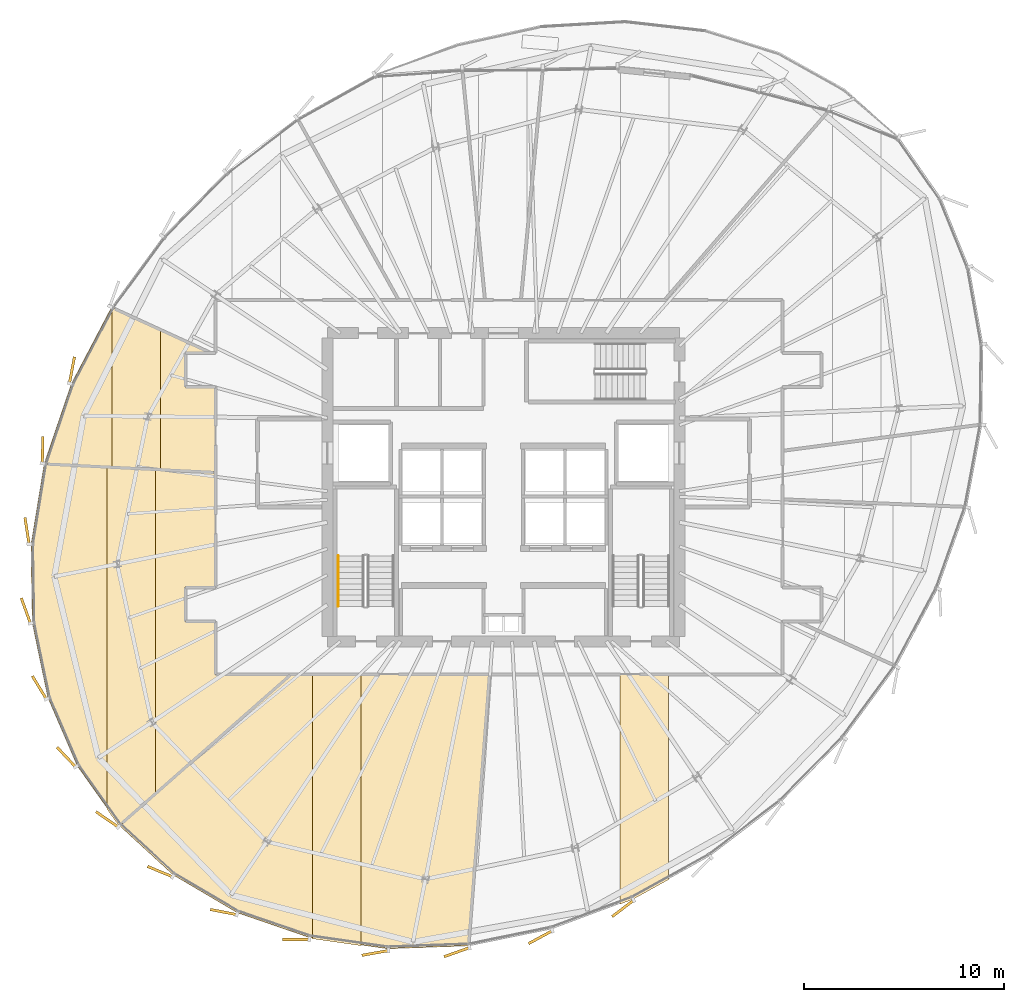
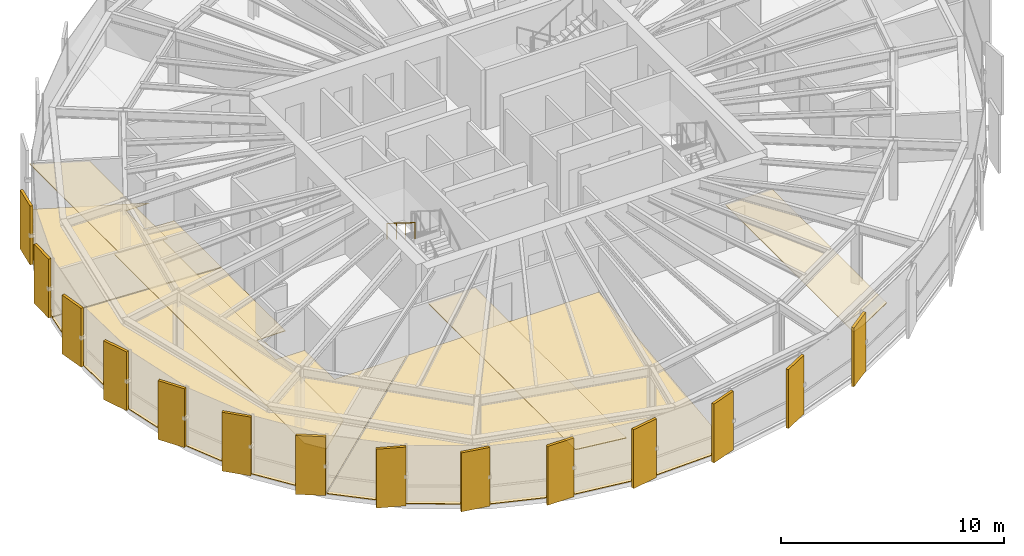
# One storey, part 35 of 37: 21 coverings, 1 railing.
"""IFC4 building model written with IfcOpenShell, lengths in metres."""

from ifc_helpers import new_model, si_unit, direction, frame, origin, origin_2d, place, context, subcontext, project, spatial, polyline, rectangle, circle, outline, extrude, source, transform, mapped, material, layer, layer_set, type_object, element, save


model = new_model("IFC4")

# Units and contexts
model_context = context("Model", 3, precision=1e-05, world=origin(), true_north=direction((0.0, 1.0)))
body_context = subcontext(model_context, "Body", "Model", "MODEL_VIEW")
ifc_project = project(units=[si_unit("LENGTHUNIT", "METRE"), si_unit("AREAUNIT", "SQUARE_METRE"), si_unit("VOLUMEUNIT", "CUBIC_METRE"), si_unit("PLANEANGLEUNIT", "RADIAN"), si_unit("MASSUNIT", "GRAM", prefix="KILO"), si_unit("THERMODYNAMICTEMPERATUREUNIT", "KELVIN")], contexts=[model_context])

# Site, building, storey
site_placement = place(None, origin())
site = spatial("IfcSite", under=ifc_project, at=site_placement, CompositionType="ELEMENT")
building_placement = place(site_placement, origin())
building = spatial("IfcBuilding", under=site, at=building_placement, Name="Kethvar Cultural Tower", CompositionType="ELEMENT")
storey_placement = place(building_placement, frame((0.0, 0.0, 200.89990234375)))
storey = spatial("IfcBuildingStorey", under=building, at=storey_placement, Name="L52", CompositionType="ELEMENT", Elevation=200.89990234375)

# Coverings
ifc_material_1 = material(Name="Acoustic Mineral Fibre Ceiling")
ifc_layer_1 = layer(ifc_material_1, 0.0400390625, Name="Acoustic Mineral Fibre Ceiling")
ifc_layer_set_1 = layer_set([ifc_layer_1], Name="Acoustic Mineral Fibre Ceiling (40 mm)")
covering_type_1 = type_object("IfcCoveringType", Name="CV-ACOUSTIC-CEIL", PredefinedType="CEILING", material=ifc_layer_set_1)
covering_1_placement = place(storey_placement, frame((0.0, 0.0, 2.4501953125)))
element("IfcCovering", 1, at=covering_1_placement, inside=storey, type_object=covering_type_1, Name="L52 Room 01 Acoustic Ceiling Panel", PredefinedType="CEILING", context=body_context, shape_type="SweptSolid", body=[
    extrude(outline(polyline([(37.2470703125, 5.2333984375), (37.2470703125, 18.469970703125), (39.677001953125, 18.469970703125), (39.677001953125, 4.8876953125), (37.2470703125, 5.2333984375)])), origin(), (0.0, 0.0, 1.0), 0.039794921875),
])
covering_2_placement = place(storey_placement, frame((0.0, 0.0, 2.4501953125)))
element("IfcCovering", 2, at=covering_2_placement, inside=storey, type_object=covering_type_1, Name="L52 Room 02 Acoustic Ceiling Panel", PredefinedType="CEILING", context=body_context, shape_type="SweptSolid", body=[
    extrude(outline(polyline([(53.281982421875, 7.20458984375), (52.634033203125, 6.96240234375), (52.634033203125, 18.469970703125), (55.064208984375, 18.469970703125), (55.064208984375, 8.19287109375), (53.281982421875, 7.20458984375)])), origin(), (0.0, 0.0, 1.0), 0.039794921875),
])
covering_3_placement = place(storey_placement, frame((0.0, 0.0, 2.4501953125)))
element("IfcCovering", 3, at=covering_3_placement, inside=storey, type_object=covering_type_1, Name="L52 Room 10 Acoustic Ceiling Panel", PredefinedType="CEILING", context=body_context, shape_type="SweptSolid", body=[
    extrude(outline(polyline([(29.65673828125, 35.6923828125), (29.65673828125, 28.658203125), (27.226806640625, 28.78271484375), (27.226806640625, 36.807861328125), (29.65673828125, 35.6923828125)])), origin(), (0.0, 0.0, 1.0), 0.039794921875),
])
covering_4_placement = place(storey_placement, frame((0.0, 0.0, 2.4501953125)))
element("IfcCovering", 4, at=covering_4_placement, inside=storey, type_object=covering_type_1, Name="L52 Room 11 Acoustic Ceiling Panel", PredefinedType="CEILING", context=body_context, shape_type="SweptSolid", body=[
    extrude(outline(polyline([(29.410400390625, 28.7109375), (29.410400390625, 12.442138671875), (27.600341796875, 10.8544921875), (26.980224609375, 11.71728515625), (26.980224609375, 28.83544921875), (29.410400390625, 28.7109375)])), origin(), (0.0, 0.0, 1.0), 0.039794921875),
])
ifc_material_2 = material(Name="Honed Warm Limestone", Category="masonry")
ifc_layer_2 = layer(ifc_material_2, 0.030029296875, Name="Honed Warm Limestone", Category="masonry")
ifc_layer_set_2 = layer_set([ifc_layer_2], Name="Honed Warm Limestone (30 mm)")
covering_type_2 = type_object("IfcCoveringType", Name="CV-STONE-FLOOR", PredefinedType="FLOORING", material=ifc_layer_set_2)
covering_5_placement = place(storey_placement, origin())
element("IfcCovering", 5, at=covering_5_placement, inside=storey, type_object=covering_type_2, Name="L52 Room 01 Floor Finish", PredefinedType="FLOORING", context=body_context, shape_type="SweptSolid", body=[
    extrude(outline(polyline([(41.01318359375, 4.738037109375), (37.1162109375, 5.29248046875), (33.513427734375, 6.53076171875), (30.314697265625, 8.414794921875), (27.631591796875, 10.8740234375), (36.2021484375, 18.429931640625), (46.080810546875, 18.429931640625), (45.070068359375, 4.883544921875), (41.01318359375, 4.738037109375)])), origin(), (0.0, 0.0, 1.0), 0.030029296875),
])
covering_6_placement = place(storey_placement, origin())
element("IfcCovering", 6, at=covering_6_placement, inside=storey, type_object=covering_type_2, Name="L52 Room 10 Floor Finish", PredefinedType="FLOORING", context=body_context, shape_type="SweptSolid", body=[
    extrude(outline(polyline([(25.202880859375, 32.958984375), (27.204345703125, 36.774169921875), (32.1142578125, 34.52001953125), (30.88330078125, 34.510986328125), (30.8798828125, 32.800048828125), (32.3798828125, 32.780029296875), (32.3798828125, 28.558837890625), (23.85791015625, 28.995361328125), (25.202880859375, 32.958984375)])), origin(), (0.0, 0.0, 1.0), 0.030029296875),
])
covering_7_placement = place(storey_placement, origin())
element("IfcCovering", 7, at=covering_7_placement, inside=storey, type_object=covering_type_2, Name="L52 Room 11 Floor Finish", PredefinedType="FLOORING", context=body_context, shape_type="SweptSolid", body=[
    extrude(outline(polyline([(25.50146484375, 13.874267578125), (24.033203125, 17.2841796875), (23.256103515625, 21.013427734375), (23.194580078125, 24.94921875), (23.847412109375, 28.955810546875), (32.3798828125, 28.518798828125), (32.3798828125, 22.820068359375), (30.884521484375, 22.812744140625), (30.881591796875, 21.09228515625), (32.3798828125, 21.080078125), (32.390625, 18.432373046875), (36.1416015625, 18.429931640625), (27.605224609375, 10.904052734375), (25.50146484375, 13.874267578125)])), origin(), (0.0, 0.0, 1.0), 0.030029296875),
])

# Railing
ifc_material_3 = material(Name="Steel S355J2", Category="steel")
railing_type = type_object("IfcRailingType", Name="RL-STAIR-HANDRAIL", PredefinedType="HANDRAIL", material=ifc_material_3)
railing_placement = place(storey_placement, frame((38.5400390625, 24.3701171875, 1.925048828125)))
element("IfcRailing", 8, at=railing_placement, inside=storey, type_object=railing_type, Name="L52 ST-01 stair handrail 2", PredefinedType="HANDRAIL", context=body_context, shape_type="SweptSolid", body=[
    extrude(circle(Radius=0.02392578125, at=origin_2d()), frame((0.0, 0.0, 0.8759765625), z_axis=(0.0, -0.848007534815, 0.529984170421), x_axis=(1.0, 0.0, 0.0)), (0.0, 0.0, 1.0), 2.9716796875),
    extrude(circle(Radius=0.02099609375, at=origin_2d()), origin(), (0.0, 0.0, 1.0), 0.851806640625),
    extrude(circle(Radius=0.02099609375, at=origin_2d()), frame((0.0, -0.840087890625, 0.52490234375)), (0.0, 0.0, 1.0), 0.851806640625),
    extrude(circle(Radius=0.02099609375, at=origin_2d()), frame((0.0, -1.679931640625, 1.050048828125)), (0.0, 0.0, 1.0), 0.851806640625),
    extrude(circle(Radius=0.02099609375, at=origin_2d()), frame((0.0, -2.52001953125, 1.574951171875)), (0.0, 0.0, 1.0), 0.851806640625),
])

# Coverings
ifc_material_4 = material(Name="Extruded Architectural Terracotta", Category="masonry")
ifc_layer_3 = layer(ifc_material_4, 0.135009765625, Name="Extruded Architectural Terracotta", Category="masonry")
ifc_layer_set_3 = layer_set([ifc_layer_3], Name="Extruded Architectural Terracotta (135 mm)")
covering_type_3 = type_object("IfcCoveringType", Name="Terracotta Facade Fin FIN-03", PredefinedType="CLADDING", material=ifc_layer_set_3)
shared_shape = source(origin(), body_context, "Body", "SweptSolid", [
    extrude(rectangle(XDim=1.35009765625, YDim=0.135009765625, at=origin_2d()), origin(), (0.0, 0.0, 1.0), 3.219970703125),
])
for number, where, z_axis, x_axis, name in (
    (9, (25.234619140625, 33.656005859375, 0.02001953125), (0.0, 0.0, 1.0), (0.186352563227, 0.982482937347, 0.0), "L52 Vertical Terracotta Fin 3.3"),
    (10, (23.7666015625, 29.664306640625, 0.02001953125), (0.0, 0.0, 1.0), (0.021989376093, 0.999758204437, 0.0), "L52 Vertical Terracotta Fin 3.4"),
    (11, (22.989990234375, 25.6162109375, 0.02001953125), (0.0, 0.0, 1.0), (-0.154710386299, 0.987959865769, 0.0), "L52 Vertical Terracotta Fin 3.5"),
    (12, (22.9296875, 21.630126953125, 0.02001953125), (0.0, 0.0, 1.0), (-0.338245229816, 0.941058002733, 0.0), "L52 Vertical Terracotta Fin 3.6"),
    (13, (23.605224609375, 17.787353515625, 0.02001953125), (0.0, 0.0, 1.0), (-0.51951911188, 0.854458830133, 0.0), "L52 Vertical Terracotta Fin 4.1"),
    (14, (24.955810546875, 14.3095703125, 0.02001953125), (0.0, 0.0, 1.0), (-0.685945362789, 0.72765304869, 0.0), "L52 Vertical Terracotta Fin 4.2"),
    (15, (26.991455078125, 11.197998046875, 0.02001953125), (0.0, 0.0, 1.0), (-0.824027319533, 0.566550065452, 0.0), "L52 Vertical Terracotta Fin 4.3"),
    (16, (29.638427734375, 8.588134765625, 0.02001953125), (0.0, 0.0, 1.0), (-0.923879532511, 0.382683432365, 0.0), "L52 Vertical Terracotta Fin 4.4"),
    (17, (32.81640625, 6.565185546875, 0.02001953125), (0.0, 0.0, 1.0), (-0.98172695624, 0.190294990453, 0.0), "L52 Vertical Terracotta Fin 4.5"),
    (18, (36.425048828125, 5.19482421875, 0.02001953125), (0.0, 0.0, 1.0), (-0.999998476913, 0.001745328366, 0.0), "L52 Vertical Terracotta Fin 4.6"),
    (19, (40.38916015625, 4.521484375, 0.02001953125), (0.0, 0.0, 1.0), (-0.984625369118, -0.174679370533, 0.0), "L52 Vertical Terracotta Fin 5.1"),
    (20, (44.468505859375, 4.56005859375, 0.02001953125), (0.0, 0.0, 1.0), (-0.942408220245, -0.334464865741, 0.0), "L52 Vertical Terracotta Fin 5.2"),
    (21, (48.65185546875, 5.310546875, 0.02001953125), (0.0, 0.0, 1.0), (-0.878983618946, -0.476851966153, 0.0), "L52 Vertical Terracotta Fin 5.3"),
    (22, (52.77197265625, 6.74560546875, 0.02001953125), (0.0, 0.0, 1.0), (-0.798530461347, -0.601954402177, 0.0), "L52 Vertical Terracotta Fin 5.4"),
):
    element("IfcCovering", number, at=place(storey_placement, frame(where, z_axis=z_axis, x_axis=x_axis)), inside=storey, type_object=covering_type_3, Name=name, PredefinedType="CLADDING", context=body_context, shape_type="MappedRepresentation", body=[
        mapped(shared_shape, transform((0.0, 0.0, 0.0), scale=1.0)),
    ])

save(model, "model.ifc")
